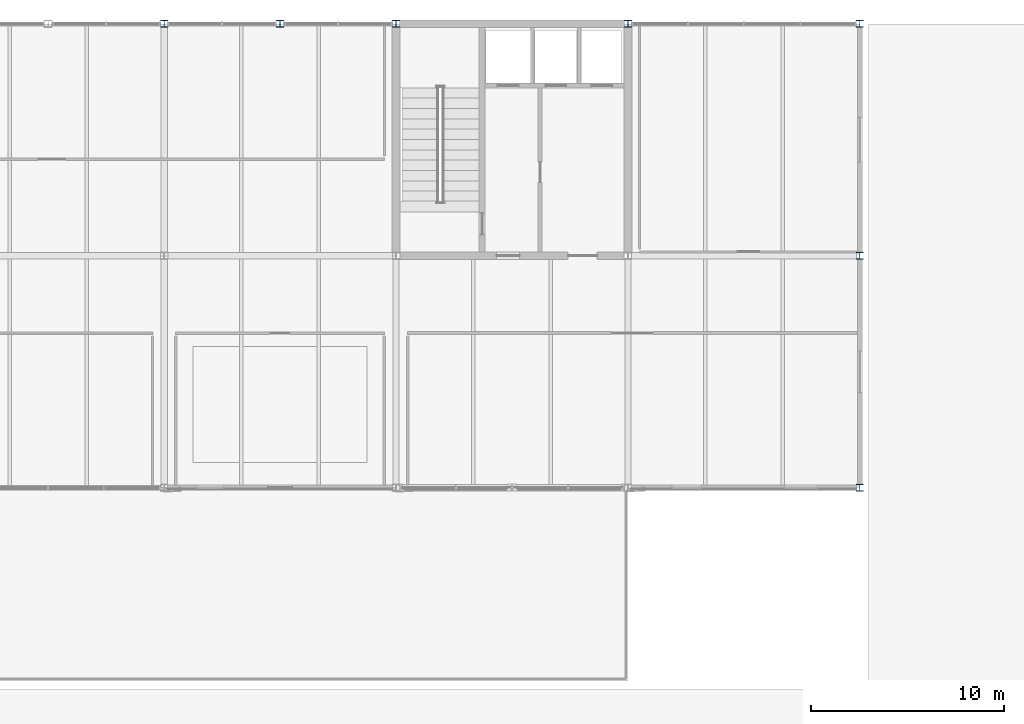
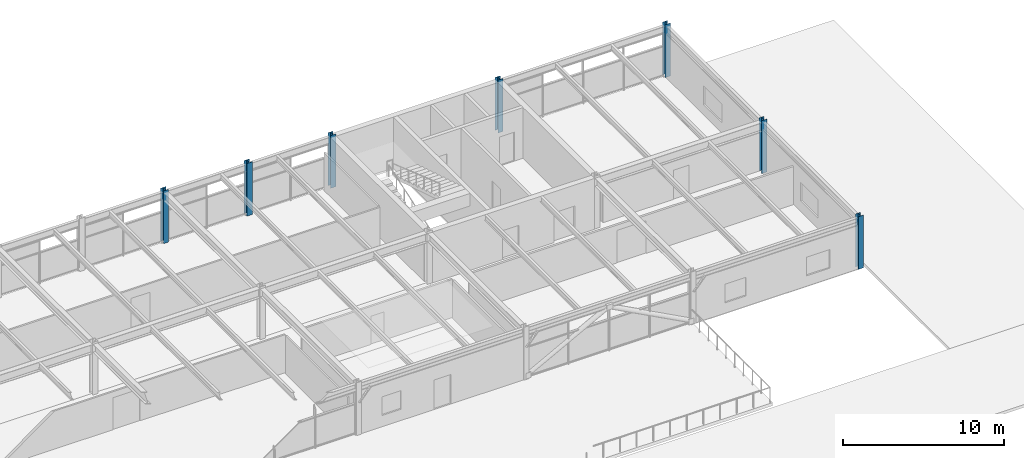
# One storey, part 5 of 30: 7 columns.
"""IFC4 building model written with IfcOpenShell, lengths in metres."""

from ifc_helpers import new_model, si_unit, direction, frame, origin, origin_2d, place, context, subcontext, project, spatial, i_section, extrude, material, material_profile, profile_set, type_object, element, save


model = new_model("IFC4")

# Units and contexts
model_context = context("Model", 3, precision=1e-05, world=origin(), true_north=direction((0.0, 1.0)))
body_context = subcontext(model_context, "Body", "Model", "MODEL_VIEW")
ifc_project = project(units=[si_unit("LENGTHUNIT", "METRE"), si_unit("AREAUNIT", "SQUARE_METRE"), si_unit("VOLUMEUNIT", "CUBIC_METRE"), si_unit("PLANEANGLEUNIT", "RADIAN"), si_unit("MASSUNIT", "GRAM", prefix="KILO")], contexts=[model_context])

# Site, building, storey
site_placement = place(None, origin())
site = spatial("IfcSite", under=ifc_project, at=site_placement, CompositionType="ELEMENT")
building_placement = place(site_placement, origin())
building = spatial("IfcBuilding", under=site, at=building_placement, Name="Girod Span Mobility Hub", CompositionType="ELEMENT")
storey_placement = place(building_placement, frame((0.0, 0.0, 49.60009765625)))
storey = spatial("IfcBuildingStorey", under=building, at=storey_placement, Name="L12", CompositionType="ELEMENT", Elevation=49.60009765625)

# Columns
ifc_material_1 = material(Name="Steel A992 Grade 50", Category="steel")
ifc_material_profile_1 = material_profile(ifc_material_1, i_section(OverallWidth=0.39404296875, OverallDepth=0.375, WebThickness=0.017333984375, FlangeThickness=0.027587890625, FilletRadius=0.01806640625, at=origin_2d()), Name="W14X145")
ifc_profile_set_1 = profile_set([ifc_material_profile_1], Name="Steel A992 Grade 50")
column_type_1 = type_object("IfcColumnType", Name="COL-STL-W14X145", PredefinedType="COLUMN", material=ifc_profile_set_1)
column_placement = place(storey_placement, frame((102.0, 69.0, 0.0), z_axis=(0.0, 0.0, 1.0), x_axis=(1.0, 0.0, 0.0)))
element("IfcColumn", 1, at=column_placement, inside=storey, type_object=column_type_1, Name="Facade Intermediate Column INT-4 L12", PredefinedType="COLUMN", context=body_context, shape_type="SweptSolid", body=[
    extrude(i_section(OverallWidth=0.39404296875, OverallDepth=0.375, WebThickness=0.017333984375, FlangeThickness=0.027587890625, FilletRadius=0.01806640625, at=origin_2d()), origin(), (0.0, 0.0, 1.0), 4.0),
])
ifc_material_2 = material(Name="Steel A992 Grade 50", Category="steel")
ifc_material_profile_2 = material_profile(ifc_material_2, i_section(OverallWidth=0.368896484375, OverallDepth=0.35595703125, WebThickness=0.01123046875, FlangeThickness=0.01806640625, FilletRadius=0.01806640625, at=origin_2d()), Name="W14X90")
ifc_profile_set_2 = profile_set([ifc_material_profile_2], Name="Steel A992 Grade 50")
column_type_2 = type_object("IfcColumnType", Name="COL-STL-W14X90", PredefinedType="COLUMN", material=ifc_profile_set_2)
for number, where, z_axis, x_axis, name in (
    (2, (96.0, 69.0, 0.0), (0.0, 0.0, 1.0), (1.0, 0.0, 0.0), "Column 9F L12"),
    (3, (108.0, 69.0, 0.0), (0.0, 0.0, 1.0), (1.0, 0.0, 0.0), "Column 10F L12"),
    (4, (120.0, 69.0, 0.0), (0.0, 0.0, 1.0), (1.0, 0.0, 0.0), "Column 11F L12"),
    (5, (132.0, 45.0, 0.0), (0.0, 0.0, 1.0), (1.0, 0.0, 0.0), "Column 12D L12"),
    (6, (132.0, 57.0, 0.0), (0.0, 0.0, 1.0), (1.0, 0.0, 0.0), "Column 12E L12"),
    (7, (132.0, 69.0, 0.0), (0.0, 0.0, 1.0), (1.0, 0.0, 0.0), "Column 12F L12"),
):
    element("IfcColumn", number, at=place(storey_placement, frame(where, z_axis=z_axis, x_axis=x_axis)), inside=storey, type_object=column_type_2, Name=name, PredefinedType="COLUMN", context=body_context, shape_type="SweptSolid", body=[
        extrude(i_section(OverallWidth=0.368896484375, OverallDepth=0.35595703125, WebThickness=0.01123046875, FlangeThickness=0.01806640625, FilletRadius=0.01806640625, at=origin_2d()), origin(), (0.0, 0.0, 1.0), 4.0),
    ])

save(model, "model.ifc")
